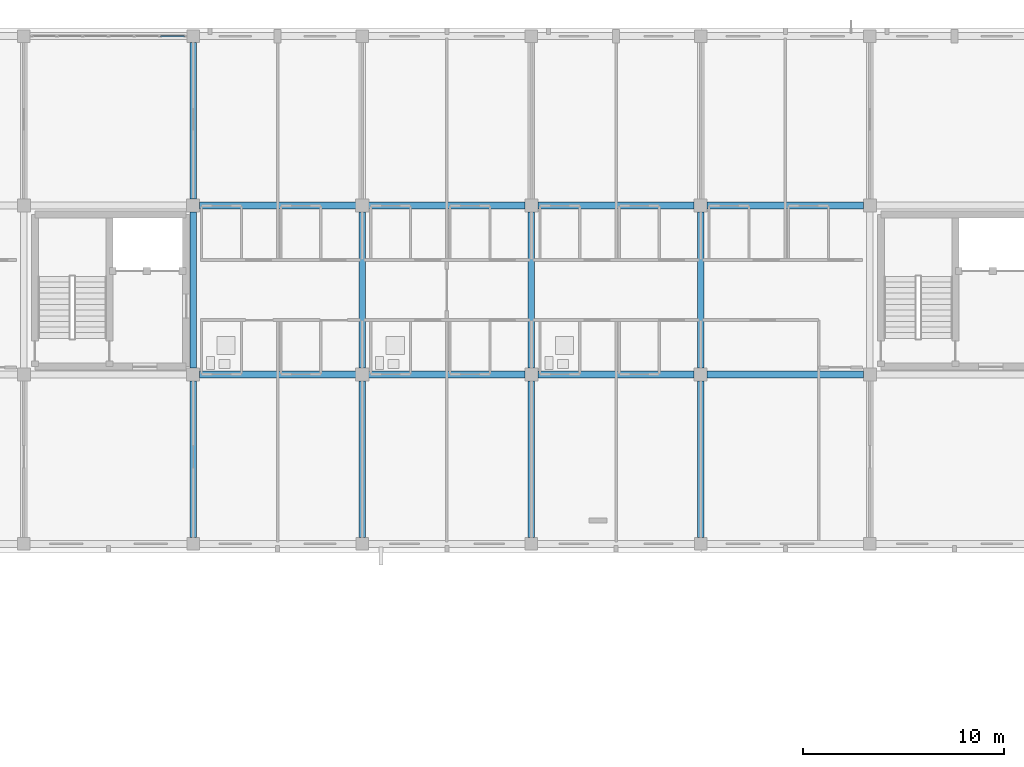
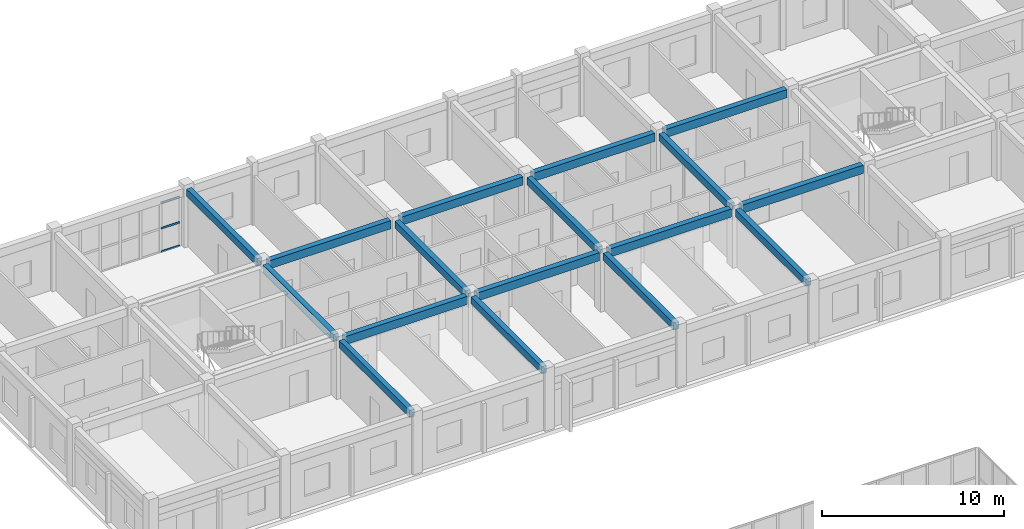
# One storey, part 41 of 81: 17 beams, 3 members, 1 element without a shape of its own.
"""IFC4 building model written with IfcOpenShell, lengths in metres."""

from ifc_helpers import new_model, si_unit, direction, frame, origin, origin_2d, place, context, subcontext, project, spatial, rectangle, hollow_rectangle, extrude, material, layer, layer_set, material_profile, profile_set, type_object, element, aggregate, save


model = new_model("IFC4")

# Units and contexts
model_context = context("Model", 3, precision=1e-05, world=origin(), true_north=direction((0.0, 1.0)))
body_context = subcontext(model_context, "Body", "Model", "MODEL_VIEW")
ifc_project = project(units=[si_unit("LENGTHUNIT", "METRE"), si_unit("AREAUNIT", "SQUARE_METRE"), si_unit("VOLUMEUNIT", "CUBIC_METRE"), si_unit("PLANEANGLEUNIT", "RADIAN"), si_unit("MASSUNIT", "GRAM", prefix="KILO")], contexts=[model_context])

# Site, building, storey
site_placement = place(None, origin())
site = spatial("IfcSite", under=ifc_project, at=site_placement, CompositionType="ELEMENT")
building_placement = place(site_placement, origin())
building = spatial("IfcBuilding", under=site, at=building_placement, Name="Trelvath General Hospital", CompositionType="ELEMENT")
storey_placement = place(building_placement, frame((0.0, 0.0, 24.60009765625)))
storey = spatial("IfcBuildingStorey", under=building, at=storey_placement, Name="L06", CompositionType="ELEMENT", Elevation=24.60009765625)

# Beams
ifc_material_1 = material(Name="Concrete C35/45", Category="concrete")
ifc_material_profile_1 = material_profile(ifc_material_1, rectangle(XDim=0.320068359375, YDim=0.47998046875, at=origin_2d()), Name="RCB320x480")
ifc_profile_set_1 = profile_set([ifc_material_profile_1], Name="Concrete C35/45")
beam_type_1 = type_object("IfcBeamType", Name="Beam RC320x480", PredefinedType="BEAM", material=ifc_profile_set_1)
beam_1_placement = place(storey_placement, frame((50.39990234375, 92.705078125, 3.679931640625), z_axis=(0.0, 1.0, 0.0), x_axis=(-1.0, 0.0, 0.0)))
element("IfcBeam", 1, at=beam_1_placement, inside=storey, type_object=beam_type_1, Name="Grid Beam BY-606L", PredefinedType="BEAM", context=body_context, shape_type="SweptSolid", body=[
    extrude(rectangle(XDim=0.320068359375, YDim=0.47998046875, at=origin_2d()), origin(), (0.0, 0.0, 1.0), 7.77490234375),
])
beam_2_placement = place(storey_placement, frame((50.39990234375, 101.1201171875, 3.679931640625), z_axis=(0.0, 1.0, 0.0), x_axis=(-1.0, 0.0, 0.0)))
element("IfcBeam", 2, at=beam_2_placement, inside=storey, type_object=beam_type_1, Name="Grid Beam BY-606M", PredefinedType="BEAM", context=body_context, shape_type="SweptSolid", body=[
    extrude(rectangle(XDim=0.320068359375, YDim=0.47998046875, at=origin_2d()), origin(), (0.0, 0.0, 1.0), 7.759765625),
])
for number, where, z_axis, x_axis, name in (
    (3, (50.39990234375, 109.52001953125, 3.679931640625), (0.0, 1.0, 0.0), (-1.0, 0.0, 0.0), "Grid Beam BY-606N"),
    (4, (58.800048828125, 92.705078125, 3.679931640625), (0.0, 1.0, 0.0), (-1.0, 0.0, 0.0), "Grid Beam BY-607L"),
):
    element("IfcBeam", number, at=place(storey_placement, frame(where, z_axis=z_axis, x_axis=x_axis)), inside=storey, type_object=beam_type_1, Name=name, PredefinedType="BEAM", context=body_context, shape_type="SweptSolid", body=[
        extrude(rectangle(XDim=0.320068359375, YDim=0.47998046875, at=origin_2d()), origin(), (0.0, 0.0, 1.0), 7.77490234375),
    ])
beam_3_placement = place(storey_placement, frame((58.800048828125, 101.1201171875, 3.679931640625), z_axis=(0.0, 1.0, 0.0), x_axis=(-1.0, 0.0, 0.0)))
element("IfcBeam", 5, at=beam_3_placement, inside=storey, type_object=beam_type_1, Name="Grid Beam BY-607M", PredefinedType="BEAM", context=body_context, shape_type="SweptSolid", body=[
    extrude(rectangle(XDim=0.320068359375, YDim=0.47998046875, at=origin_2d()), origin(), (0.0, 0.0, 1.0), 7.759765625),
])
beam_4_placement = place(storey_placement, frame((67.199951171875, 92.705078125, 3.679931640625), z_axis=(0.0, 1.0, 0.0), x_axis=(-1.0, 0.0, 0.0)))
element("IfcBeam", 6, at=beam_4_placement, inside=storey, type_object=beam_type_1, Name="Grid Beam BY-608L", PredefinedType="BEAM", context=body_context, shape_type="SweptSolid", body=[
    extrude(rectangle(XDim=0.320068359375, YDim=0.47998046875, at=origin_2d()), origin(), (0.0, 0.0, 1.0), 7.77490234375),
])
beam_5_placement = place(storey_placement, frame((67.199951171875, 101.1201171875, 3.679931640625), z_axis=(0.0, 1.0, 0.0), x_axis=(-1.0, 0.0, 0.0)))
element("IfcBeam", 7, at=beam_5_placement, inside=storey, type_object=beam_type_1, Name="Grid Beam BY-608M", PredefinedType="BEAM", context=body_context, shape_type="SweptSolid", body=[
    extrude(rectangle(XDim=0.320068359375, YDim=0.47998046875, at=origin_2d()), origin(), (0.0, 0.0, 1.0), 7.759765625),
])
beam_6_placement = place(storey_placement, frame((75.60009765625, 92.705078125, 3.679931640625), z_axis=(0.0, 1.0, 0.0), x_axis=(-1.0, 0.0, 0.0)))
element("IfcBeam", 8, at=beam_6_placement, inside=storey, type_object=beam_type_1, Name="Grid Beam BY-609L", PredefinedType="BEAM", context=body_context, shape_type="SweptSolid", body=[
    extrude(rectangle(XDim=0.320068359375, YDim=0.47998046875, at=origin_2d()), origin(), (0.0, 0.0, 1.0), 7.77490234375),
])
beam_7_placement = place(storey_placement, frame((75.60009765625, 101.1201171875, 3.679931640625), z_axis=(0.0, 1.0, 0.0), x_axis=(-1.0, 0.0, 0.0)))
element("IfcBeam", 9, at=beam_7_placement, inside=storey, type_object=beam_type_1, Name="Grid Beam BY-609M", PredefinedType="BEAM", context=body_context, shape_type="SweptSolid", body=[
    extrude(rectangle(XDim=0.320068359375, YDim=0.47998046875, at=origin_2d()), origin(), (0.0, 0.0, 1.0), 7.759765625),
])
ifc_material_2 = material(Name="Concrete C35/45", Category="concrete")
ifc_material_profile_2 = material_profile(ifc_material_2, rectangle(XDim=0.35009765625, YDim=0.550048828125, at=origin_2d()), Name="RCB350x550")
ifc_profile_set_2 = profile_set([ifc_material_profile_2], Name="Concrete C35/45")
beam_type_2 = type_object("IfcBeamType", Name="Beam RC350x550", PredefinedType="BEAM", material=ifc_profile_set_2)
for number, where, z_axis, x_axis, name in (
    (10, (50.719970703125, 100.800048828125, 3.64501953125), (1.0, 0.0, 0.0), (0.0, 1.0, 0.0), "Grid Beam BX-606M"),
    (11, (50.719970703125, 109.199951171875, 3.64501953125), (1.0, 0.0, 0.0), (0.0, 1.0, 0.0), "Grid Beam BX-606N"),
):
    element("IfcBeam", number, at=place(storey_placement, frame(where, z_axis=z_axis, x_axis=x_axis)), inside=storey, type_object=beam_type_2, Name=name, PredefinedType="BEAM", context=body_context, shape_type="SweptSolid", body=[
        extrude(rectangle(XDim=0.35009765625, YDim=0.550048828125, at=origin_2d()), origin(), (0.0, 0.0, 1.0), 7.760009765625),
    ])
for number, where, z_axis, x_axis, name in (
    (12, (59.1201171875, 100.800048828125, 3.64501953125), (1.0, 0.0, 0.0), (0.0, 1.0, 0.0), "Grid Beam BX-607M"),
    (13, (59.1201171875, 109.199951171875, 3.64501953125), (1.0, 0.0, 0.0), (0.0, 1.0, 0.0), "Grid Beam BX-607N"),
):
    element("IfcBeam", number, at=place(storey_placement, frame(where, z_axis=z_axis, x_axis=x_axis)), inside=storey, type_object=beam_type_2, Name=name, PredefinedType="BEAM", context=body_context, shape_type="SweptSolid", body=[
        extrude(rectangle(XDim=0.35009765625, YDim=0.550048828125, at=origin_2d()), origin(), (0.0, 0.0, 1.0), 7.759765625),
    ])
for number, where, z_axis, x_axis, name in (
    (14, (67.52001953125, 100.800048828125, 3.64501953125), (1.0, 0.0, 0.0), (0.0, 1.0, 0.0), "Grid Beam BX-608M"),
    (15, (67.52001953125, 109.199951171875, 3.64501953125), (1.0, 0.0, 0.0), (0.0, 1.0, 0.0), "Grid Beam BX-608N"),
    (16, (75.919921875, 100.800048828125, 3.64501953125), (1.0, 0.0, 0.0), (0.0, 1.0, 0.0), "Grid Beam BX-609M"),
    (17, (75.919921875, 109.199951171875, 3.64501953125), (1.0, 0.0, 0.0), (0.0, 1.0, 0.0), "Grid Beam BX-609N"),
):
    element("IfcBeam", number, at=place(storey_placement, frame(where, z_axis=z_axis, x_axis=x_axis)), inside=storey, type_object=beam_type_2, Name=name, PredefinedType="BEAM", context=body_context, shape_type="SweptSolid", body=[
        extrude(rectangle(XDim=0.35009765625, YDim=0.550048828125, at=origin_2d()), origin(), (0.0, 0.0, 1.0), 7.760009765625),
    ])

# Curtain wall, members
ifc_material_3 = material(Name="Anodised aluminium and low-E glass", Category="aluminium")
ifc_layer = layer(ifc_material_3, 0.14990234375)
ifc_layer_set = layer_set([ifc_layer], Name="Anodised aluminium and low-E glass")
curtain_wall_type = type_object("IfcCurtainWallType", Name="CW Facade 767 334 15", PredefinedType="USERDEFINED", material=ifc_layer_set)
curtain_wall_placement = place(storey_placement, origin())
curtain_wall = element("IfcCurtainWall", 18, at=curtain_wall_placement, inside=storey, type_object=curtain_wall_type, Name="Facade Curtain Wall CW-077", ObjectType="Unitised Glazed Curtain Wall", PredefinedType="USERDEFINED")
ifc_material_4 = material(Name="Anodised aluminium", Category="aluminium")
ifc_material_profile_3 = material_profile(ifc_material_4, hollow_rectangle(XDim=0.06005859375, YDim=0.125, WallThickness=0.00390625, at=origin_2d()), Name="RHS60x125x4")
ifc_profile_set_3 = profile_set([ifc_material_profile_3], Name="Anodised aluminium")
member_type = type_object("IfcMemberType", Name="CurtainTransom 60x125", PredefinedType="USERDEFINED", material=ifc_profile_set_3)
member_1_placement = place(storey_placement, frame((48.78662109375, 117.60009765625, 0.02978515625), z_axis=(1.0, 0.0, 0.0), x_axis=(0.0, 1.0, 0.0)))
member_1 = element("IfcMember", 19, at=member_1_placement, type_object=member_type, Name="CW-077 transom 6.1", ObjectType="TRANSOM", PredefinedType="USERDEFINED", context=body_context, shape_type="SweptSolid", body=[
    extrude(hollow_rectangle(XDim=0.06005859375, YDim=0.125, WallThickness=0.00390625, at=origin_2d()), origin(), (0.0, 0.0, 1.0), 1.1884765625),
])
member_2_placement = place(storey_placement, frame((48.78662109375, 117.60009765625, 1.602783203125), z_axis=(1.0, 0.0, 0.0), x_axis=(0.0, 1.0, 0.0)))
member_2 = element("IfcMember", 20, at=member_2_placement, type_object=member_type, Name="CW-077 transom 6.2", ObjectType="TRANSOM", PredefinedType="USERDEFINED", context=body_context, shape_type="SweptSolid", body=[
    extrude(hollow_rectangle(XDim=0.06005859375, YDim=0.125, WallThickness=0.00390625, at=origin_2d()), origin(), (0.0, 0.0, 1.0), 1.1884765625),
])
member_3_placement = place(storey_placement, frame((48.78662109375, 117.60009765625, 3.309814453125), z_axis=(1.0, 0.0, 0.0), x_axis=(0.0, 1.0, 0.0)))
member_3 = element("IfcMember", 21, at=member_3_placement, type_object=member_type, Name="CW-077 transom 6.3", ObjectType="TRANSOM", PredefinedType="USERDEFINED", context=body_context, shape_type="SweptSolid", body=[
    extrude(hollow_rectangle(XDim=0.06005859375, YDim=0.125, WallThickness=0.00390625, at=origin_2d()), origin(), (0.0, 0.0, 1.0), 1.1884765625),
])
aggregate(curtain_wall, [member_1, member_2, member_3])

save(model, "model.ifc")
